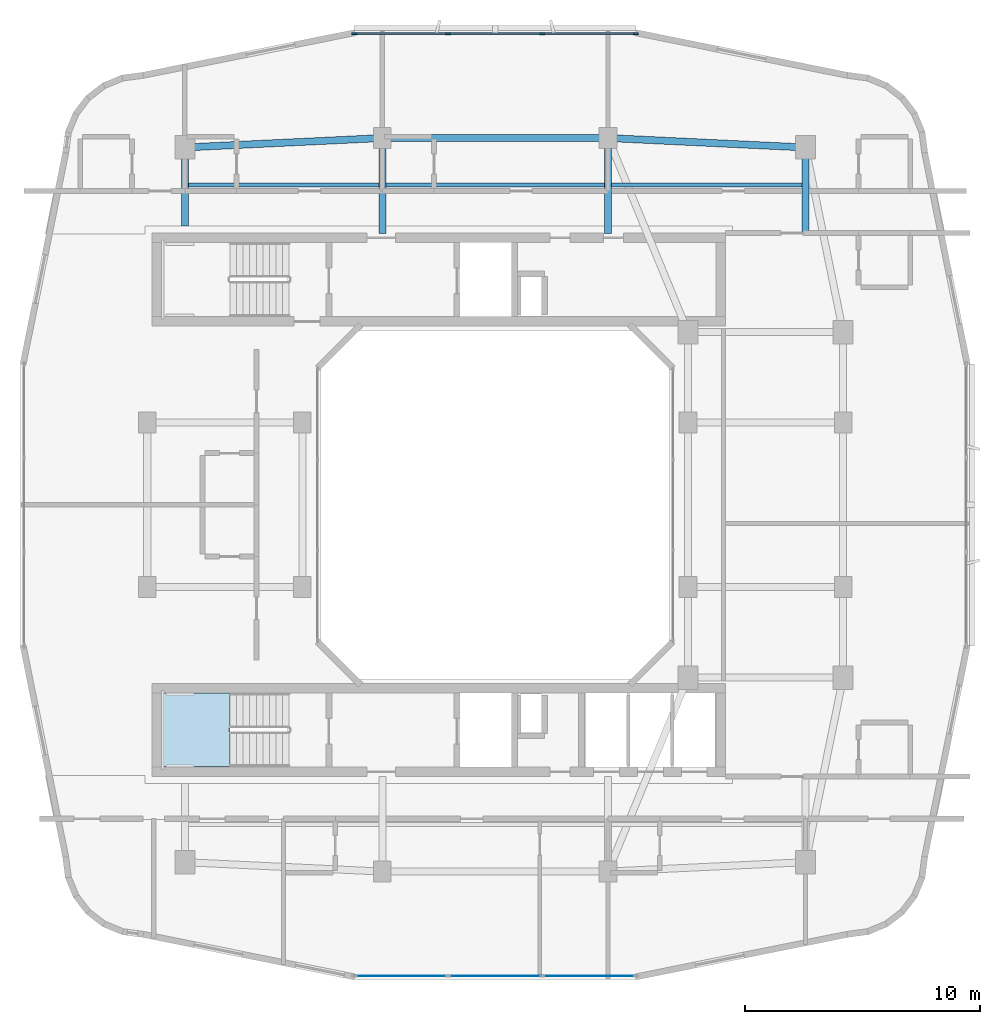
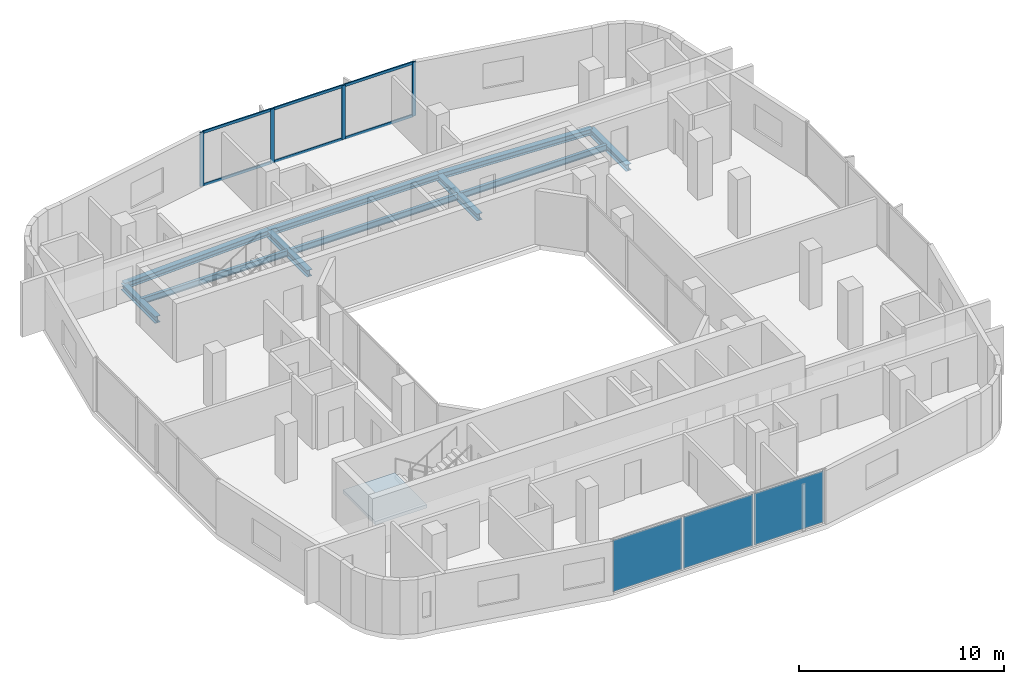
# One storey, part 5 of 14: 10 beams, 10 members, 3 plates, 1 slab, 3 elements without a shape of their own.
"""IFC4 building model written with IfcOpenShell, lengths in metres."""

from ifc_helpers import new_model, si_unit, derived_unit, direction, frame, origin, origin_2d, place, context, subcontext, project, spatial, polyline, rectangle, i_section, outline, extrude, material, layer, layer_set, material_profile, profile_set, type_object, element, aggregate, save


model = new_model("IFC4")

# Units and contexts
model_context = context("Model", 3, precision=1e-05, world=origin(), true_north=direction((0.0, 1.0)))
body_context = subcontext(model_context, "Body", "Model", "MODEL_VIEW")
ifc_project = project(units=[si_unit("LENGTHUNIT", "METRE"), si_unit("AREAUNIT", "SQUARE_METRE"), si_unit("VOLUMEUNIT", "CUBIC_METRE"), si_unit("PLANEANGLEUNIT", "RADIAN"), si_unit("MASSUNIT", "GRAM", prefix="KILO"), derived_unit("THERMALTRANSMITTANCEUNIT", [(si_unit("POWERUNIT", "WATT"), 1), (si_unit("LENGTHUNIT", "METRE"), -2), (si_unit("THERMODYNAMICTEMPERATUREUNIT", "KELVIN"), -1)])], contexts=[model_context])

# Site, building, storey
site_placement = place(None, origin())
site = spatial("IfcSite", under=ifc_project, at=site_placement, CompositionType="ELEMENT")
building_placement = place(site_placement, origin())
building = spatial("IfcBuilding", under=site, at=building_placement, Name="Kivonza Crest Hotel", CompositionType="ELEMENT")
storey_placement = place(building_placement, frame((0.0, 0.0, 162.5)))
storey = spatial("IfcBuildingStorey", under=building, at=storey_placement, Name="L44", CompositionType="ELEMENT", Elevation=162.5)

# Beams
ifc_material_1 = material(Name="Steel S355", Category="steel")
ifc_material_profile_1 = material_profile(ifc_material_1, i_section(OverallWidth=0.300048828125, OverallDepth=0.360107421875, WebThickness=0.012451171875, FlangeThickness=0.0224609375, FilletRadius=0.027099609375, at=origin_2d()), Name="HEB 360")
ifc_profile_set_1 = profile_set([ifc_material_profile_1], Name="Steel S355")
beam_type_1 = type_object("IfcBeamType", Name="BM-HEB360", PredefinedType="SPANDREL", material=ifc_profile_set_1)
beam_1_placement = place(storey_placement, frame((34.199951171875, 40.199951171875, -0.4599609375), z_axis=(-0.998867283688, 0.047583080799, 0.0), x_axis=(-0.047583080799, -0.998867283688, 0.0)))
element("IfcBeam", 1, at=beam_1_placement, inside=storey, type_object=beam_type_1, Name="Tower T1 L44 perimeter spandrel NE-N2", PredefinedType="SPANDREL", context=body_context, shape_type="SweptSolid", body=[
    extrude(i_section(OverallWidth=0.300048828125, OverallDepth=0.360107421875, WebThickness=0.012451171875, FlangeThickness=0.0224609375, FilletRadius=0.027099609375, at=origin_2d()), origin(), (0.0, 0.0, 1.0), 8.409423828125),
])
beam_2_placement = place(storey_placement, frame((25.800048828125, 40.60009765625, -0.4599609375), z_axis=(-1.0, 0.0, 0.0), x_axis=(0.0, -1.0, 0.0)))
element("IfcBeam", 2, at=beam_2_placement, inside=storey, type_object=beam_type_1, Name="Tower T1 L44 perimeter spandrel N2-N1", PredefinedType="SPANDREL", context=body_context, shape_type="SweptSolid", body=[
    extrude(i_section(OverallWidth=0.300048828125, OverallDepth=0.360107421875, WebThickness=0.012451171875, FlangeThickness=0.0224609375, FilletRadius=0.027099609375, at=origin_2d()), origin(), (0.0, 0.0, 1.0), 9.60009765625),
])
beam_3_placement = place(storey_placement, frame((16.199951171875, 40.60009765625, -0.4599609375), z_axis=(-0.998867283688, -0.047583080799, 0.0), x_axis=(0.047583080799, -0.998867283688, 0.0)))
element("IfcBeam", 3, at=beam_3_placement, inside=storey, type_object=beam_type_1, Name="Tower T1 L44 perimeter spandrel N1-NW", PredefinedType="SPANDREL", context=body_context, shape_type="SweptSolid", body=[
    extrude(i_section(OverallWidth=0.300048828125, OverallDepth=0.360107421875, WebThickness=0.012451171875, FlangeThickness=0.0224609375, FilletRadius=0.027099609375, at=origin_2d()), origin(), (0.0, 0.0, 1.0), 8.409423828125),
])
ifc_material_profile_2 = material_profile(ifc_material_1, i_section(OverallWidth=0.300048828125, OverallDepth=0.39990234375, WebThickness=0.013427734375, FlangeThickness=0.02392578125, FilletRadius=0.027099609375, at=origin_2d()), Name="HEB 400")
ifc_profile_set_2 = profile_set([ifc_material_profile_2], Name="Steel S355")
beam_type_2 = type_object("IfcBeamType", Name="BM-HEB400", PredefinedType="BEAM", material=ifc_profile_set_2)
beam_4_placement = place(storey_placement, frame((7.800048828125, 40.199951171875, -0.47998046875), z_axis=(0.0, -1.0, 0.0), x_axis=(1.0, 0.0, 0.0)))
element("IfcBeam", 4, at=beam_4_placement, inside=storey, type_object=beam_type_2, Name="Tower T1 L44 radial core girder RNW", PredefinedType="BEAM", context=body_context, shape_type="SweptSolid", body=[
    extrude(i_section(OverallWidth=0.300048828125, OverallDepth=0.39990234375, WebThickness=0.013427734375, FlangeThickness=0.02392578125, FilletRadius=0.027099609375, at=origin_2d()), origin(), (0.0, 0.0, 1.0), 3.349853515625),
])
for number, where, z_axis, x_axis, name in (
    (5, (16.199951171875, 40.60009765625, -0.47998046875), (0.0, -1.0, 0.0), (1.0, 0.0, 0.0), "Tower T1 L44 radial core girder RN1"),
    (6, (25.800048828125, 40.60009765625, -0.47998046875), (0.0, -1.0, 0.0), (1.0, 0.0, 0.0), "Tower T1 L44 radial core girder RN2"),
):
    element("IfcBeam", number, at=place(storey_placement, frame(where, z_axis=z_axis, x_axis=x_axis)), inside=storey, type_object=beam_type_2, Name=name, PredefinedType="BEAM", context=body_context, shape_type="SweptSolid", body=[
        extrude(i_section(OverallWidth=0.300048828125, OverallDepth=0.39990234375, WebThickness=0.013427734375, FlangeThickness=0.02392578125, FilletRadius=0.027099609375, at=origin_2d()), origin(), (0.0, 0.0, 1.0), 4.050048828125),
    ])
beam_5_placement = place(storey_placement, frame((34.199951171875, 40.199951171875, -0.47998046875), z_axis=(0.0, -1.0, 0.0), x_axis=(1.0, 0.0, 0.0)))
element("IfcBeam", 7, at=beam_5_placement, inside=storey, type_object=beam_type_2, Name="Tower T1 L44 radial core girder RNE", PredefinedType="BEAM", context=body_context, shape_type="SweptSolid", body=[
    extrude(i_section(OverallWidth=0.300048828125, OverallDepth=0.39990234375, WebThickness=0.013427734375, FlangeThickness=0.02392578125, FilletRadius=0.027099609375, at=origin_2d()), origin(), (0.0, 0.0, 1.0), 3.64990234375),
])
ifc_material_profile_3 = material_profile(ifc_material_1, i_section(OverallWidth=0.169921875, OverallDepth=0.360107421875, WebThickness=0.008056640625, FlangeThickness=0.0126953125, FilletRadius=0.01806640625, at=origin_2d()), Name="IPE 360")
ifc_profile_set_3 = profile_set([ifc_material_profile_3], Name="Steel S355")
beam_type_3 = type_object("IfcBeamType", Name="BM-IPE360", PredefinedType="JOIST", material=ifc_profile_set_3)
beam_6_placement = place(storey_placement, frame((7.8798828125, 38.60009765625, -0.4599609375), z_axis=(1.0, 0.0, 0.0), x_axis=(0.0, 1.0, 0.0)))
element("IfcBeam", 8, at=beam_6_placement, inside=storey, type_object=beam_type_3, Name="Tower T1 L44 North-West floor joist", PredefinedType="JOIST", context=body_context, shape_type="SweptSolid", body=[
    extrude(i_section(OverallWidth=0.169921875, OverallDepth=0.360107421875, WebThickness=0.008056640625, FlangeThickness=0.0126953125, FilletRadius=0.01806640625, at=origin_2d()), origin(), (0.0, 0.0, 1.0), 8.240234375),
])
beam_7_placement = place(storey_placement, frame((16.280029296875, 38.60009765625, -0.4599609375), z_axis=(1.0, 0.0, 0.0), x_axis=(0.0, 1.0, 0.0)))
element("IfcBeam", 9, at=beam_7_placement, inside=storey, type_object=beam_type_3, Name="Tower T1 L44 North-Mid floor joist", PredefinedType="JOIST", context=body_context, shape_type="SweptSolid", body=[
    extrude(i_section(OverallWidth=0.169921875, OverallDepth=0.360107421875, WebThickness=0.008056640625, FlangeThickness=0.0126953125, FilletRadius=0.01806640625, at=origin_2d()), origin(), (0.0, 0.0, 1.0), 9.43994140625),
])
beam_8_placement = place(storey_placement, frame((25.8798828125, 38.60009765625, -0.4599609375), z_axis=(1.0, 0.0, 0.0), x_axis=(0.0, 1.0, 0.0)))
element("IfcBeam", 10, at=beam_8_placement, inside=storey, type_object=beam_type_3, Name="Tower T1 L44 North-East floor joist", PredefinedType="JOIST", context=body_context, shape_type="SweptSolid", body=[
    extrude(i_section(OverallWidth=0.169921875, OverallDepth=0.360107421875, WebThickness=0.008056640625, FlangeThickness=0.0126953125, FilletRadius=0.01806640625, at=origin_2d()), origin(), (0.0, 0.0, 1.0), 8.240234375),
])

# Curtain wall, members
ifc_material_2 = material(Name="Anodised bronze aluminium and low-E double glazing", Category="aluminium")
ifc_layer_1 = layer(ifc_material_2, 0.179931640625)
ifc_layer_set_1 = layer_set([ifc_layer_1], Name="Anodised bronze aluminium and low-E double glazing")
curtain_wall_type = type_object("IfcCurtainWallType", Name="CW-SYS-3", PredefinedType="NOTDEFINED", material=ifc_layer_set_1)
curtain_wall_1_placement = place(storey_placement, origin())
curtain_wall_1 = element("IfcCurtainWall", 11, at=curtain_wall_1_placement, inside=storey, type_object=curtain_wall_type, Name="L44 unitised curtain wall CW-T1-L44-26", PredefinedType="NOTDEFINED")
ifc_material_3 = material(Name="Anodised bronze aluminium", Category="aluminium")
ifc_material_profile_4 = material_profile(ifc_material_3, rectangle(XDim=0.074951171875, YDim=0.219970703125, at=origin_2d()), Name="CW-M 75x220")
ifc_profile_set_4 = profile_set([ifc_material_profile_4], Name="Anodised bronze aluminium")
member_type_1 = type_object("IfcMemberType", Name="CW-MUL-75x220", PredefinedType="MULLION", material=ifc_profile_set_4)
member_1_placement = place(storey_placement, frame((26.982421875, 45.0400390625, 0.0), z_axis=(0.0, 0.0, 1.0), x_axis=(0.0, -1.0, 0.0)))
member_1 = element("IfcMember", 12, at=member_1_placement, type_object=member_type_1, Name="CW-3 mullion 1", PredefinedType="MULLION", context=body_context, shape_type="SweptSolid", body=[
    extrude(rectangle(XDim=0.074951171875, YDim=0.219970703125, at=origin_2d()), origin(), (0.0, 0.0, 1.0), 3.219970703125),
])
member_2_placement = place(storey_placement, frame((23.006591796875, 45.0400390625, 0.0), z_axis=(0.0, 0.0, 1.0), x_axis=(0.0, -1.0, 0.0)))
member_2 = element("IfcMember", 13, at=member_2_placement, type_object=member_type_1, Name="CW-3 mullion 2", PredefinedType="MULLION", context=body_context, shape_type="SweptSolid", body=[
    extrude(rectangle(XDim=0.074951171875, YDim=0.219970703125, at=origin_2d()), origin(), (0.0, 0.0, 1.0), 3.219970703125),
])
member_3_placement = place(storey_placement, frame((18.993408203125, 45.0400390625, 0.0), z_axis=(0.0, 0.0, 1.0), x_axis=(0.0, -1.0, 0.0)))
member_3 = element("IfcMember", 14, at=member_3_placement, type_object=member_type_1, Name="CW-3 mullion 3", PredefinedType="MULLION", context=body_context, shape_type="SweptSolid", body=[
    extrude(rectangle(XDim=0.074951171875, YDim=0.219970703125, at=origin_2d()), origin(), (0.0, 0.0, 1.0), 3.219970703125),
])
member_4_placement = place(storey_placement, frame((15.017578125, 45.0400390625, 0.0), z_axis=(0.0, 0.0, 1.0), x_axis=(0.0, -1.0, 0.0)))
member_4 = element("IfcMember", 15, at=member_4_placement, type_object=member_type_1, Name="CW-3 mullion 4", PredefinedType="MULLION", context=body_context, shape_type="SweptSolid", body=[
    extrude(rectangle(XDim=0.074951171875, YDim=0.219970703125, at=origin_2d()), origin(), (0.0, 0.0, 1.0), 3.219970703125),
])
ifc_material_profile_5 = material_profile(ifc_material_3, rectangle(XDim=0.074951171875, YDim=0.159912109375, at=origin_2d()), Name="CW-T 75x160")
ifc_profile_set_5 = profile_set([ifc_material_profile_5], Name="Anodised bronze aluminium")
member_type_2 = type_object("IfcMemberType", Name="CW-TRN-75x160", PredefinedType="USERDEFINED", material=ifc_profile_set_5)
member_5_placement = place(storey_placement, frame((26.945068359375, 45.0400390625, 0.03759765625), z_axis=(-1.0, 0.0, 0.0), x_axis=(0.0, -1.0, 0.0)))
member_5 = element("IfcMember", 16, at=member_5_placement, type_object=member_type_2, Name="CW-3 transom 1.1", ObjectType="TRANSOM", PredefinedType="USERDEFINED", context=body_context, shape_type="SweptSolid", body=[
    extrude(rectangle(XDim=0.074951171875, YDim=0.159912109375, at=origin_2d()), origin(), (0.0, 0.0, 1.0), 3.90087890625),
])
member_6_placement = place(storey_placement, frame((26.945068359375, 45.0400390625, 3.1826171875), z_axis=(-1.0, 0.0, 0.0), x_axis=(0.0, -1.0, 0.0)))
member_6 = element("IfcMember", 17, at=member_6_placement, type_object=member_type_2, Name="CW-3 transom 1.2", ObjectType="TRANSOM", PredefinedType="USERDEFINED", context=body_context, shape_type="SweptSolid", body=[
    extrude(rectangle(XDim=0.074951171875, YDim=0.159912109375, at=origin_2d()), origin(), (0.0, 0.0, 1.0), 3.90087890625),
])
member_7_placement = place(storey_placement, frame((22.96923828125, 45.0400390625, 0.03759765625), z_axis=(-1.0, 0.0, 0.0), x_axis=(0.0, -1.0, 0.0)))
member_7 = element("IfcMember", 18, at=member_7_placement, type_object=member_type_2, Name="CW-3 transom 2.1", ObjectType="TRANSOM", PredefinedType="USERDEFINED", context=body_context, shape_type="SweptSolid", body=[
    extrude(rectangle(XDim=0.074951171875, YDim=0.159912109375, at=origin_2d()), origin(), (0.0, 0.0, 1.0), 3.9384765625),
])
member_8_placement = place(storey_placement, frame((22.96923828125, 45.0400390625, 3.1826171875), z_axis=(-1.0, 0.0, 0.0), x_axis=(0.0, -1.0, 0.0)))
member_8 = element("IfcMember", 19, at=member_8_placement, type_object=member_type_2, Name="CW-3 transom 2.2", ObjectType="TRANSOM", PredefinedType="USERDEFINED", context=body_context, shape_type="SweptSolid", body=[
    extrude(rectangle(XDim=0.074951171875, YDim=0.159912109375, at=origin_2d()), origin(), (0.0, 0.0, 1.0), 3.9384765625),
])
member_9_placement = place(storey_placement, frame((18.955810546875, 45.0400390625, 0.03759765625), z_axis=(-1.0, 0.0, 0.0), x_axis=(0.0, -1.0, 0.0)))
member_9 = element("IfcMember", 20, at=member_9_placement, type_object=member_type_2, Name="CW-3 transom 3.1", ObjectType="TRANSOM", PredefinedType="USERDEFINED", context=body_context, shape_type="SweptSolid", body=[
    extrude(rectangle(XDim=0.074951171875, YDim=0.159912109375, at=origin_2d()), origin(), (0.0, 0.0, 1.0), 3.90087890625),
])
member_10_placement = place(storey_placement, frame((18.955810546875, 45.0400390625, 3.1826171875), z_axis=(-1.0, 0.0, 0.0), x_axis=(0.0, -1.0, 0.0)))
member_10 = element("IfcMember", 21, at=member_10_placement, type_object=member_type_2, Name="CW-3 transom 3.2", ObjectType="TRANSOM", PredefinedType="USERDEFINED", context=body_context, shape_type="SweptSolid", body=[
    extrude(rectangle(XDim=0.074951171875, YDim=0.159912109375, at=origin_2d()), origin(), (0.0, 0.0, 1.0), 3.90087890625),
])
aggregate(curtain_wall_1, [member_1, member_2, member_3, member_4, member_5, member_6, member_7, member_8, member_9, member_10])

# Curtain wall, plates
curtain_wall_2_placement = place(storey_placement, origin())
curtain_wall_2 = element("IfcCurtainWall", 22, at=curtain_wall_2_placement, inside=storey, type_object=curtain_wall_type, Name="L44 unitised curtain wall CW-T1-L44-08", PredefinedType="NOTDEFINED")
ifc_material_4 = material(Name="Acoustic triple-laminated low-E glazing", Category="glass")
ifc_layer_2 = layer(ifc_material_4, 0.035888671875)
ifc_layer_set_2 = layer_set([ifc_layer_2], Name="Acoustic triple-laminated low-E glazing")
plate_type = type_object("IfcPlateType", Name="CW-PNL-36", PredefinedType="CURTAIN_PANEL", material=ifc_layer_set_2)
plate_1_placement = place(storey_placement, frame((17.00537109375, 4.9599609375, 0.0751953125), z_axis=(0.0, 0.0, 1.0), x_axis=(1.0, 0.0, 0.0)))
plate_1 = element("IfcPlate", 23, at=plate_1_placement, type_object=plate_type, Name="CW-3 panel 1.1", PredefinedType="CURTAIN_PANEL", context=body_context, shape_type="SweptSolid", body=[
    extrude(rectangle(XDim=3.90087890625, YDim=0.035888671875, at=origin_2d()), origin(), (0.0, 0.0, 1.0), 3.070068359375),
])
plate_2_placement = place(storey_placement, frame((21.0, 4.9599609375, 0.0751953125), z_axis=(0.0, 0.0, 1.0), x_axis=(1.0, 0.0, 0.0)))
plate_2 = element("IfcPlate", 24, at=plate_2_placement, type_object=plate_type, Name="CW-3 panel 2.1", PredefinedType="CURTAIN_PANEL", context=body_context, shape_type="SweptSolid", body=[
    extrude(rectangle(XDim=3.938232421875, YDim=0.035888671875, at=origin_2d()), origin(), (0.0, 0.0, 1.0), 3.070068359375),
])
plate_3_placement = place(storey_placement, frame((24.99462890625, 4.9599609375, 0.0751953125), z_axis=(0.0, 0.0, 1.0), x_axis=(1.0, 0.0, 0.0)))
plate_3 = element("IfcPlate", 25, at=plate_3_placement, type_object=plate_type, Name="CW-3 panel 3.1", PredefinedType="CURTAIN_PANEL", context=body_context, shape_type="SweptSolid", body=[
    extrude(rectangle(XDim=3.90087890625, YDim=0.035888671875, at=origin_2d()), origin(), (0.0, 0.0, 1.0), 3.070068359375),
])
aggregate(curtain_wall_2, [plate_1, plate_2, plate_3])

# Stair, slab
ifc_material_5 = material(Name="Concrete C40/50", Category="concrete")
stair_type = type_object("IfcStairType", Name="ST-DL-20R", PredefinedType="HALF_TURN_STAIR", material=ifc_material_5)
stair_placement = place(storey_placement, origin())
stair = element("IfcStair", 26, at=stair_placement, inside=storey, type_object=stair_type, Name="L44 Protected Exit Stair ST-T1-S", PredefinedType="HALF_TURN_STAIR")
ifc_layer_3 = layer(ifc_material_5, 0.199951171875)
ifc_layer_set_3 = layer_set([ifc_layer_3], Name="Concrete C40/50")
slab_type = type_object("IfcSlabType", Name="SL-LAND-200", PredefinedType="LANDING", material=ifc_layer_set_3)
slab_placement = place(storey_placement, frame((0.0, 0.0, 1.550048828125)))
slab = element("IfcSlab", 27, at=slab_placement, type_object=slab_type, Name="ST-T1-S landing 1", PredefinedType="LANDING", context=body_context, shape_type="SweptSolid", body=[
    extrude(outline(polyline([(9.719970703125, 17.0), (6.800048828125, 17.0), (6.800048828125, 13.860107421875), (9.719970703125, 13.860107421875), (9.719970703125, 17.0)])), origin(), (0.0, 0.0, 1.0), 0.199951171875),
])
aggregate(stair, [slab])

save(model, "model.ifc")
